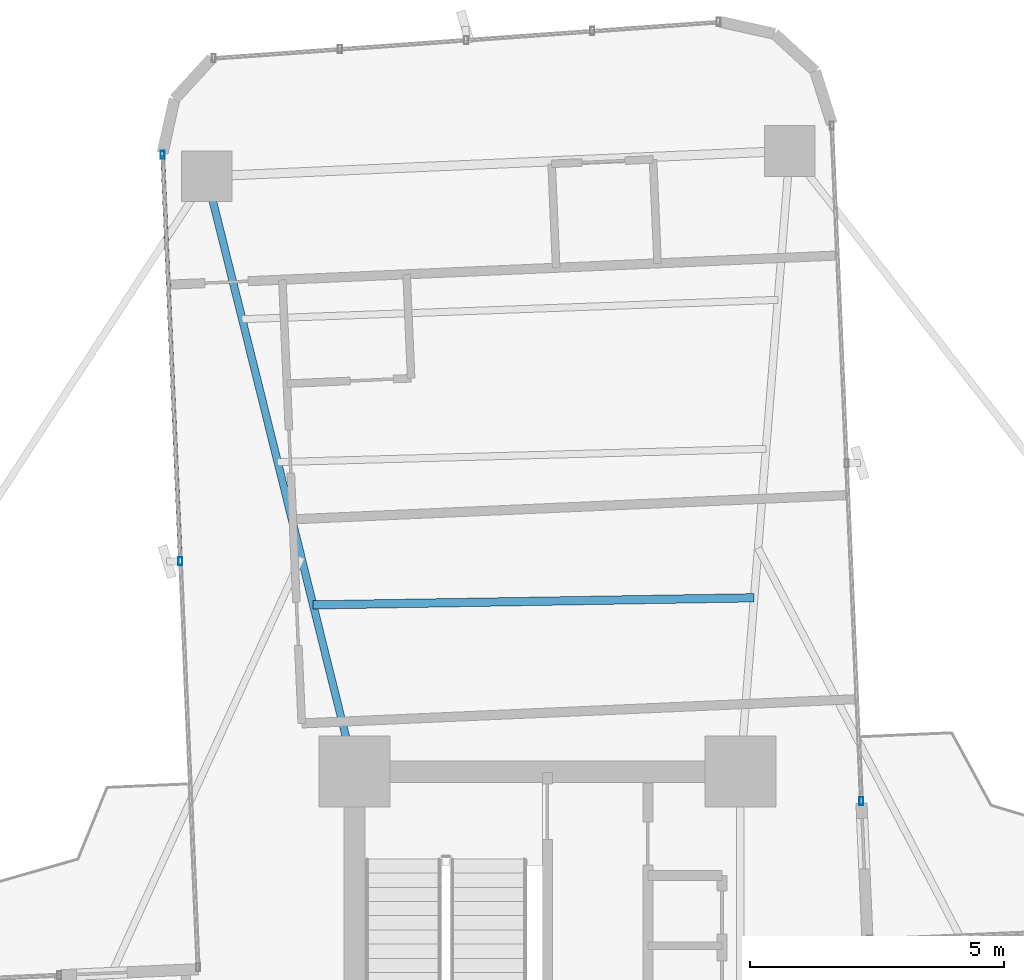
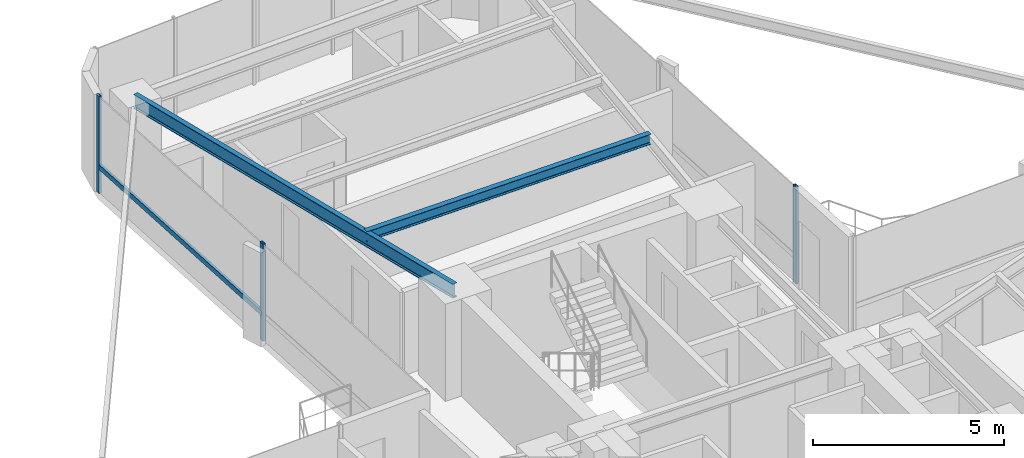
# One storey, part 17 of 26: 4 members, 2 beams, 2 elements without a shape of their own.
"""IFC4 building model written with IfcOpenShell, lengths in metres."""

from ifc_helpers import new_model, si_unit, direction, frame, origin, origin_2d, place, context, subcontext, project, spatial, hollow_rectangle, i_section, extrude, source, transform, mapped, material, material_profile, profile_set, type_object, element, aggregate, save


model = new_model("IFC4")

# Units and contexts
model_context = context("Model", 3, precision=1e-05, world=origin(), true_north=direction((0.0, 1.0)))
body_context = subcontext(model_context, "Body", "Model", "MODEL_VIEW")
ifc_project = project(units=[si_unit("LENGTHUNIT", "METRE"), si_unit("AREAUNIT", "SQUARE_METRE"), si_unit("VOLUMEUNIT", "CUBIC_METRE"), si_unit("PLANEANGLEUNIT", "RADIAN"), si_unit("MASSUNIT", "GRAM", prefix="KILO")], contexts=[model_context])

# Site, building, storey
site_placement = place(None, origin())
site = spatial("IfcSite", under=ifc_project, at=site_placement, CompositionType="ELEMENT")
building_placement = place(site_placement, origin())
building = spatial("IfcBuilding", under=site, at=building_placement, Name="Sahyath Konkavel Grand Hotel", CompositionType="ELEMENT")
storey_placement = place(building_placement, frame((0.0, 0.0, 118.14990234375)))
storey = spatial("IfcBuildingStorey", under=building, at=storey_placement, Name="L32", CompositionType="ELEMENT", Elevation=118.14990234375)

# Beams
ifc_material_1 = material(Name="Steel E350", Category="steel")
ifc_material_profile_1 = material_profile(ifc_material_1, i_section(OverallWidth=0.14990234375, OverallDepth=0.449951171875, WebThickness=0.009521484375, FlangeThickness=0.017333984375, FilletRadius=0.014892578125, at=origin_2d()), Name="ISMB 450")
ifc_profile_set_1 = profile_set([ifc_material_profile_1], Name="Steel E350")
beam_type_1 = type_object("IfcBeamType", Name="BM-ISMB450", PredefinedType="BEAM", material=ifc_profile_set_1)
shared_shape_1 = source(origin(), body_context, "Body", "SweptSolid", [
    extrude(i_section(OverallWidth=0.14990234375, OverallDepth=0.449951171875, WebThickness=0.009521484375, FlangeThickness=0.017333984375, FilletRadius=0.014892578125, at=origin_2d()), origin(), (0.0, 0.0, 1.0), 12.084228515625),
])
beam_1_placement = place(storey_placement, frame((-3.800048828125, 10.199951171875, 2.885009765625), z_axis=(-0.241042688481, 0.970514514229, 0.0), x_axis=(-0.970514514229, -0.241042688481, 0.0)))
element("IfcBeam", 1, at=beam_1_placement, inside=storey, type_object=beam_type_1, Name="L32 Cruciform Radial Girder NB", PredefinedType="BEAM", context=body_context, shape_type="MappedRepresentation", body=[
    mapped(shared_shape_1, transform((0.0, 0.0, 0.0), scale=1.0)),
])
ifc_material_profile_2 = material_profile(ifc_material_1, i_section(OverallWidth=0.1650390625, OverallDepth=0.324951171875, WebThickness=0.007080078125, FlangeThickness=0.009765625, FilletRadius=0.014892578125, at=origin_2d()), Name="ISLB 325")
ifc_profile_set_2 = profile_set([ifc_material_profile_2], Name="Steel E350")
beam_type_2 = type_object("IfcBeamType", Name="BM-ISLB325", PredefinedType="BEAM", material=ifc_profile_set_2)
shared_shape_2 = source(origin(), body_context, "Body", "SweptSolid", [
    extrude(i_section(OverallWidth=0.1650390625, OverallDepth=0.324951171875, WebThickness=0.007080078125, FlangeThickness=0.009765625, FilletRadius=0.014892578125, at=origin_2d()), origin(), (0.0, 0.0, 1.0), 8.68994140625),
])
beam_2_placement = place(storey_placement, frame((4.0732421875, 13.624267578125, 2.947509765625), z_axis=(-0.999869506431, -0.016154569283, 0.0), x_axis=(0.016154569283, -0.999869506431, 0.0)))
element("IfcBeam", 2, at=beam_2_placement, inside=storey, type_object=beam_type_2, Name="L32 Secondary Floor Beam N-1", PredefinedType="BEAM", context=body_context, shape_type="MappedRepresentation", body=[
    mapped(shared_shape_2, transform((0.0, 0.0, 0.0), scale=1.0)),
])

# Curtain wall, member
ifc_material_2 = material(Name="Anodised Bronze Aluminium & Low-E Glazing", Category="aluminium")
curtain_wall_type = type_object("IfcCurtainWallType", Name="CW-ZONE2", PredefinedType="NOTDEFINED", material=ifc_material_2)
curtain_wall_1_placement = place(storey_placement, origin())
curtain_wall_1 = element("IfcCurtainWall", 3, at=curtain_wall_1_placement, inside=storey, type_object=curtain_wall_type, Name="L32 Unitised Curtain Wall F8", PredefinedType="NOTDEFINED")
ifc_material_3 = material(Name="Anodised Bronze Aluminium", Category="aluminium")
ifc_material_profile_3 = material_profile(ifc_material_3, hollow_rectangle(XDim=0.080078125, YDim=0.159912109375, WallThickness=0.006103515625, at=origin_2d()), Name="RHS 160x80x6")
ifc_profile_set_3 = profile_set([ifc_material_profile_3], Name="Anodised Bronze Aluminium")
member_type_1 = type_object("IfcMemberType", Name="CW-MUL-160", PredefinedType="MULLION", material=ifc_profile_set_3)
shared_shape_3 = source(origin(), body_context, "Body", "SweptSolid", [
    extrude(hollow_rectangle(XDim=0.080078125, YDim=0.159912109375, WallThickness=0.006103515625, at=origin_2d()), origin(), (0.0, 0.0, 1.0), 3.110107421875),
])
member_1_placement = place(storey_placement, frame((6.186279296875, 9.618896484375, 0.0), z_axis=(0.0, 0.0, 1.0), x_axis=(1.0, 0.0, 0.0)))
member_1 = element("IfcMember", 4, at=member_1_placement, type_object=member_type_1, Name="L32 Curtain Wall Mullion F8-0", PredefinedType="MULLION", context=body_context, shape_type="MappedRepresentation", body=[
    mapped(shared_shape_3, transform((0.0, 0.0, 0.0), scale=1.0)),
])
aggregate(curtain_wall_1, [member_1])

# Curtain wall, members
curtain_wall_2_placement = place(storey_placement, origin())
curtain_wall_2 = element("IfcCurtainWall", 5, at=curtain_wall_2_placement, inside=storey, type_object=curtain_wall_type, Name="L32 Unitised Curtain Wall F15", PredefinedType="NOTDEFINED")
member_2_placement = place(storey_placement, frame((-7.582275390625, 22.3505859375, 0.0), z_axis=(0.0, 0.0, 1.0), x_axis=(1.0, 0.0, 0.0)))
member_2 = element("IfcMember", 6, at=member_2_placement, type_object=member_type_1, Name="L32 Curtain Wall Mullion F15-0", PredefinedType="MULLION", context=body_context, shape_type="MappedRepresentation", body=[
    mapped(shared_shape_3, transform((0.0, 0.0, 0.0), scale=1.0)),
])
member_3_placement = place(storey_placement, frame((-7.232666015625, 14.34814453125, 0.0), z_axis=(0.0, 0.0, 1.0), x_axis=(1.0, 0.0, 0.0)))
member_3 = element("IfcMember", 7, at=member_3_placement, type_object=member_type_1, Name="L32 Curtain Wall Mullion F15-1", PredefinedType="MULLION", context=body_context, shape_type="MappedRepresentation", body=[
    mapped(shared_shape_3, transform((0.0, 0.0, 0.0), scale=1.0)),
])
ifc_material_profile_4 = material_profile(ifc_material_3, hollow_rectangle(XDim=0.080078125, YDim=0.159912109375, WallThickness=0.006103515625, at=origin_2d()), Name="RHS 160x80x6")
ifc_profile_set_4 = profile_set([ifc_material_profile_4], Name="Anodised Bronze Aluminium")
member_type_2 = type_object("IfcMemberType", Name="CW-TRN-160", PredefinedType="USERDEFINED", material=ifc_profile_set_4)
shared_shape_4 = source(origin(), body_context, "Body", "SweptSolid", [
    extrude(hollow_rectangle(XDim=0.080078125, YDim=0.159912109375, WallThickness=0.006103515625, at=origin_2d()), origin(), (0.0, 0.0, 1.0), 8.010009765625),
])
member_4_placement = place(storey_placement, frame((-7.582275390625, 22.3505859375, 0.85009765625), z_axis=(0.043646207089, -0.999047050247, 0.0), x_axis=(0.999047050247, 0.043646207089, 0.0)))
member_4 = element("IfcMember", 8, at=member_4_placement, type_object=member_type_2, Name="L32 Curtain Wall Transom F15-0-spandrel", ObjectType="TRANSOM", PredefinedType="USERDEFINED", context=body_context, shape_type="MappedRepresentation", body=[
    mapped(shared_shape_4, transform((0.0, 0.0, 0.0), scale=1.0)),
])
aggregate(curtain_wall_2, [member_2, member_3, member_4])

save(model, "model.ifc")
